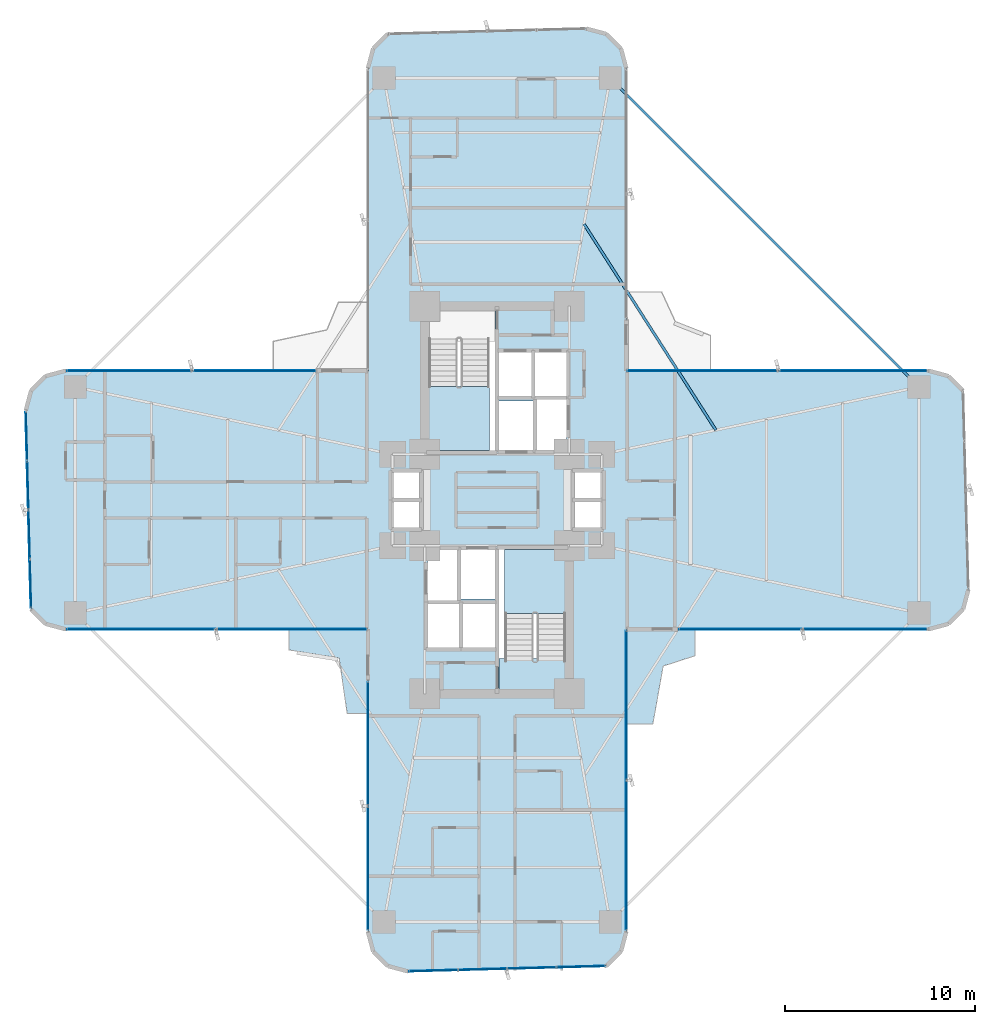
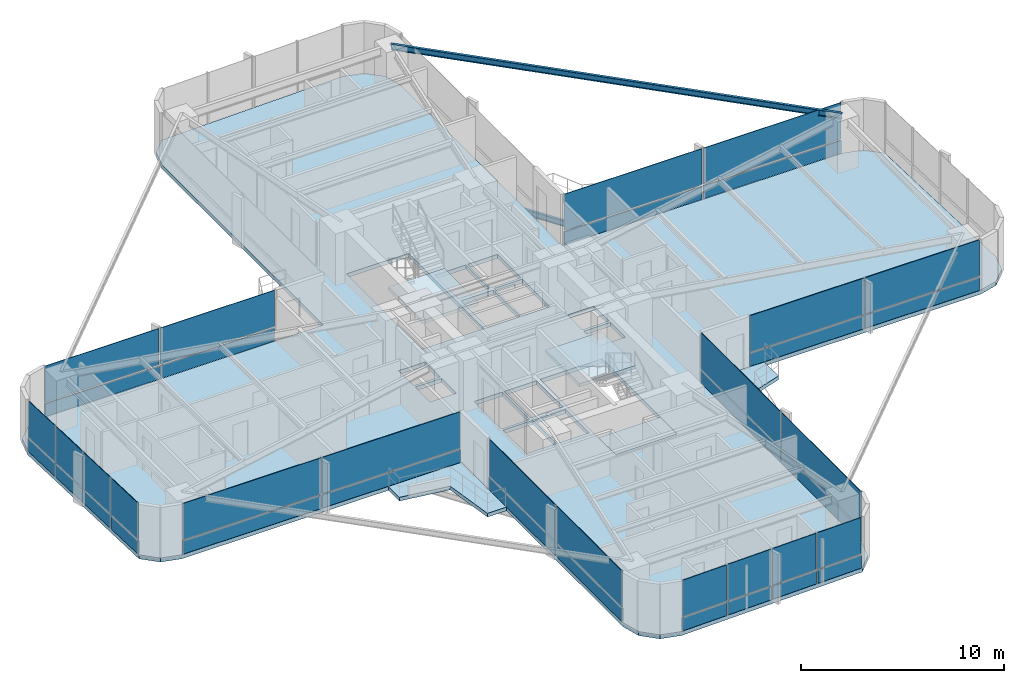
# One storey, part 20 of 25: 40 plates, 6 slabs, 2 beams, 10 elements without a shape of their own.
"""IFC4 building model written with IfcOpenShell, lengths in metres."""

from ifc_helpers import new_model, si_unit, direction, frame, origin, origin_2d, place, context, subcontext, project, spatial, polyline, rectangle, i_section, outline, extrude, source, transform, mapped, material, layer, layer_set, material_profile, profile_set, type_object, element, aggregate, save


model = new_model("IFC4")

# Units and contexts
model_context = context("Model", 3, precision=1e-05, world=origin(), true_north=direction((0.0, 1.0)))
body_context = subcontext(model_context, "Body", "Model", "MODEL_VIEW")
ifc_project = project(units=[si_unit("LENGTHUNIT", "METRE"), si_unit("AREAUNIT", "SQUARE_METRE"), si_unit("VOLUMEUNIT", "CUBIC_METRE"), si_unit("PLANEANGLEUNIT", "RADIAN"), si_unit("MASSUNIT", "GRAM", prefix="KILO")], contexts=[model_context])

# Site, building, storey
site_placement = place(None, origin())
site = spatial("IfcSite", under=ifc_project, at=site_placement, CompositionType="ELEMENT")
building_placement = place(site_placement, origin())
building = spatial("IfcBuilding", under=site, at=building_placement, Name="Sahyath Konkavel Grand Hotel", CompositionType="ELEMENT")
storey_placement = place(building_placement, frame((0.0, 0.0, 67.800048828125)))
storey = spatial("IfcBuildingStorey", under=building, at=storey_placement, Name="L18", CompositionType="ELEMENT", Elevation=67.800048828125)

# Beams
ifc_material_1 = material(Name="Steel E350", Category="steel")
ifc_material_profile_1 = material_profile(ifc_material_1, i_section(OverallWidth=0.139892578125, OverallDepth=0.35009765625, WebThickness=0.008056640625, FlangeThickness=0.01416015625, FilletRadius=0.013916015625, at=origin_2d()), Name="ISMB 350")
ifc_profile_set_1 = profile_set([ifc_material_profile_1], Name="Steel E350")
beam_type_1 = type_object("IfcBeamType", Name="BM-ISMB350", PredefinedType="BEAM", material=ifc_profile_set_1)
shared_shape_1 = source(origin(), body_context, "Body", "SweptSolid", [
    extrude(i_section(OverallWidth=0.139892578125, OverallDepth=0.35009765625, WebThickness=0.008056640625, FlangeThickness=0.01416015625, FilletRadius=0.013916015625, at=origin_2d()), origin(), (0.0, 0.0, 1.0), 22.98095703125),
])
beam_1_placement = place(storey_placement, frame((22.199951171875, 5.949951171875, 2.93505859375), z_axis=(-0.707106781187, 0.707106781187, 0.0), x_axis=(-0.707106781187, -0.707106781187, 0.0)))
element("IfcBeam", 1, at=beam_1_placement, inside=storey, type_object=beam_type_1, Name="L18 Re-Entrant Tie Beam NE", PredefinedType="BEAM", context=body_context, shape_type="MappedRepresentation", body=[
    mapped(shared_shape_1, transform((0.0, 0.0, 0.0), scale=1.0)),
])
ifc_material_profile_2 = material_profile(ifc_material_1, i_section(OverallWidth=0.139892578125, OverallDepth=0.35009765625, WebThickness=0.008056640625, FlangeThickness=0.01416015625, FilletRadius=0.013916015625, at=origin_2d()), Name="ISMB 350")
ifc_profile_set_2 = profile_set([ifc_material_profile_2], Name="Steel E350")
beam_type_2 = type_object("IfcBeamType", Name="BM-BALC-CANT", PredefinedType="BEAM", material=ifc_profile_set_2)
shared_shape_2 = source(origin(), body_context, "Body", "SweptSolid", [
    extrude(i_section(OverallWidth=0.139892578125, OverallDepth=0.35009765625, WebThickness=0.008056640625, FlangeThickness=0.01416015625, FilletRadius=0.013916015625, at=origin_2d()), origin(), (0.0, 0.0, 1.0), 12.871826171875),
])
beam_2_placement = place(storey_placement, frame((11.511962890625, 3.677978515625, -0.4150390625), z_axis=(-0.539003102535, 0.842303778608, 0.0), x_axis=(-0.842303778608, -0.539003102535, 0.0)))
element("IfcBeam", 2, at=beam_2_placement, inside=storey, type_object=beam_type_2, Name="L18 Balcony Cantilever Support Beam NE", PredefinedType="BEAM", context=body_context, shape_type="MappedRepresentation", body=[
    mapped(shared_shape_2, transform((0.0, 0.0, 0.0), scale=1.0)),
])

# Slabs
ifc_material_2 = material(Name="Concrete C40/50", Category="concrete")
ifc_layer_1 = layer(ifc_material_2, 0.239990234375)
ifc_layer_set_1 = layer_set([ifc_layer_1], Name="Concrete C40/50")
slab_type_1 = type_object("IfcSlabType", Name="SLB-240", PredefinedType="FLOOR", material=ifc_layer_set_1)
slab_1_placement = place(storey_placement, frame((0.0, 0.0, -0.239990234375)))
element("IfcSlab", 3, at=slab_1_placement, inside=storey, type_object=slab_type_1, Name="L18 Structural Floor Slab", PredefinedType="FLOOR", context=body_context, shape_type="SweptSolid", body=[
    extrude(outline(polyline([(6.800048828125, -6.800048828125), (22.699951171875, -6.800048828125), (23.75, -6.518798828125), (24.518798828125, -5.75), (24.800048828125, -4.699951171875), (24.518798828125, 5.75), (23.75, 6.518798828125), (22.699951171875, 6.800048828125), (6.800048828125, 6.800048828125), (6.800048828125, 22.699951171875), (6.518798828125, 23.75), (5.75, 24.518798828125), (4.699951171875, 24.800048828125), (-5.75, 24.518798828125), (-6.518798828125, 23.75), (-6.800048828125, 22.699951171875), (-6.800048828125, 6.800048828125), (-22.699951171875, 6.800048828125), (-23.75, 6.518798828125), (-24.518798828125, 5.75), (-24.800048828125, 4.699951171875), (-24.518798828125, -5.75), (-23.75, -6.518798828125), (-22.699951171875, -6.800048828125), (-6.800048828125, -6.800048828125), (-6.800048828125, -22.699951171875), (-6.518798828125, -23.75), (-5.75, -24.518798828125), (-4.699951171875, -24.800048828125), (5.75, -24.518798828125), (6.518798828125, -23.75), (6.800048828125, -22.699951171875), (6.800048828125, -6.800048828125)]), holes=[polyline([(-3.6201171875, 2.580078125), (-0.10009765625, 2.580078125), (-0.10009765625, 10.02001953125), (-3.6201171875, 10.02001953125), (-3.6201171875, 2.580078125)]), polyline([(0.10009765625, -10.02001953125), (3.6201171875, -10.02001953125), (3.6201171875, -2.580078125), (0.10009765625, -2.580078125), (0.10009765625, -10.02001953125)]), polyline([(0.10009765625, 2.60009765625), (1.949951171875, 2.60009765625), (1.949951171875, 5.199951171875), (0.10009765625, 5.199951171875), (0.10009765625, 2.60009765625)]), polyline([(-1.949951171875, -5.199951171875), (-0.10009765625, -5.199951171875), (-0.10009765625, -2.60009765625), (-1.949951171875, -2.60009765625), (-1.949951171875, -5.199951171875)]), polyline([(2.050048828125, 2.60009765625), (3.64990234375, 2.60009765625), (3.64990234375, 5.300048828125), (2.050048828125, 5.300048828125), (2.050048828125, 2.60009765625)]), polyline([(-3.64990234375, -5.300048828125), (-2.050048828125, -5.300048828125), (-2.050048828125, -2.60009765625), (-3.64990234375, -2.60009765625), (-3.64990234375, -5.300048828125)]), polyline([(0.10009765625, 5.449951171875), (1.85009765625, 5.449951171875), (1.85009765625, 7.75), (0.10009765625, 7.75), (0.10009765625, 5.449951171875)]), polyline([(1.949951171875, 5.449951171875), (3.64990234375, 5.449951171875), (3.64990234375, 7.75), (1.949951171875, 7.75), (1.949951171875, 5.449951171875)]), polyline([(-3.64990234375, -7.75), (-1.949951171875, -7.75), (-1.949951171875, -5.449951171875), (-3.64990234375, -5.449951171875), (-3.64990234375, -7.75)]), polyline([(-1.85009765625, -7.75), (-0.10009765625, -7.75), (-0.10009765625, -5.449951171875), (-1.85009765625, -5.449951171875), (-1.85009765625, -7.75)]), polyline([(4.050048828125, 0.080078125), (5.550048828125, 0.080078125), (5.550048828125, 1.5400390625), (4.050048828125, 1.5400390625), (4.050048828125, 0.080078125)]), polyline([(4.050048828125, -1.5400390625), (5.550048828125, -1.5400390625), (5.550048828125, -0.080078125), (4.050048828125, -0.080078125), (4.050048828125, -1.5400390625)]), polyline([(-5.550048828125, 0.080078125), (-4.050048828125, 0.080078125), (-4.050048828125, 1.5400390625), (-5.550048828125, 1.5400390625), (-5.550048828125, 0.080078125)]), polyline([(-5.550048828125, -1.5400390625), (-4.050048828125, -1.5400390625), (-4.050048828125, -0.080078125), (-5.550048828125, -0.080078125), (-5.550048828125, -1.5400390625)])]), origin(), (0.0, 0.0, 1.0), 0.239990234375),
])
ifc_layer_2 = layer(ifc_material_2, 0.219970703125)
ifc_layer_set_2 = layer_set([ifc_layer_2], Name="Concrete C40/50")
slab_type_2 = type_object("IfcSlabType", Name="SLB-BALCONY-220", PredefinedType="FLOOR", material=ifc_layer_set_2)
slab_2_placement = place(storey_placement, frame((0.0, 0.0, -0.219970703125)))
element("IfcSlab", 4, at=slab_2_placement, inside=storey, type_object=slab_type_2, Name="L18 Winter-Garden Balcony SW", PredefinedType="FLOOR", context=body_context, shape_type="SweptSolid", body=[
    extrude(outline(polyline([(-6.800048828125, -6.800048828125), (-10.9580078125, -6.800048828125), (-10.9580078125, -7.887939453125), (-8.31103515625, -8.31103515625), (-7.887939453125, -11.241943359375), (-6.800048828125, -11.241943359375), (-6.800048828125, -6.800048828125)])), origin(), (0.0, 0.0, 1.0), 0.219970703125),
])
slab_3_placement = place(storey_placement, frame((0.0, 0.0, -0.219970703125)))
element("IfcSlab", 5, at=slab_3_placement, inside=storey, type_object=slab_type_2, Name="L18 Winter-Garden Balcony SE", PredefinedType="FLOOR", context=body_context, shape_type="SweptSolid", body=[
    extrude(outline(polyline([(6.800048828125, -6.800048828125), (6.800048828125, -11.784912109375), (8.1953125, -11.784912109375), (8.738037109375, -8.738037109375), (10.4150390625, -8.1953125), (10.4150390625, -6.800048828125), (6.800048828125, -6.800048828125)])), origin(), (0.0, 0.0, 1.0), 0.219970703125),
])

# Stair, slab
stair_type = type_object("IfcStairType", Name="STR-ST16-335", PredefinedType="HALF_TURN_STAIR", material=ifc_material_2)
stair_1_placement = place(storey_placement, origin())
stair_1 = element("IfcStair", 6, at=stair_1_placement, inside=storey, type_object=stair_type, Name="L18 North Core Smokeproof Exit Stair ST-1", PredefinedType="HALF_TURN_STAIR")
ifc_layer_3 = layer(ifc_material_2, 0.199951171875)
ifc_layer_set_3 = layer_set([ifc_layer_3], Name="Concrete C40/50")
slab_type_3 = type_object("IfcSlabType", Name="SLB-STAIR-LND", PredefinedType="LANDING", material=ifc_layer_set_3)
slab_4_placement = place(storey_placement, frame((0.0, 0.0, 1.474853515625)))
slab_4 = element("IfcSlab", 7, at=slab_4_placement, type_object=slab_type_3, Name="ST-1 landing 1", PredefinedType="LANDING", context=body_context, shape_type="SweptSolid", body=[
    extrude(outline(polyline([(-3.60009765625, 5.9599609375), (-3.60009765625, 2.60009765625), (-0.39990234375, 2.60009765625), (-0.39990234375, 5.9599609375), (-3.60009765625, 5.9599609375)])), origin(), (0.0, 0.0, 1.0), 0.2001953125),
])
aggregate(stair_1, [slab_4])

stair_2_placement = place(storey_placement, origin())
stair_2 = element("IfcStair", 8, at=stair_2_placement, inside=storey, type_object=stair_type, Name="L18 South Core Smokeproof Exit Stair ST-2", PredefinedType="HALF_TURN_STAIR")
slab_5_placement = place(storey_placement, frame((0.0, 0.0, 1.474853515625)))
slab_5 = element("IfcSlab", 9, at=slab_5_placement, type_object=slab_type_3, Name="ST-2 landing 1", PredefinedType="LANDING", context=body_context, shape_type="SweptSolid", body=[
    extrude(outline(polyline([(3.60009765625, -5.9599609375), (3.60009765625, -2.60009765625), (0.39990234375, -2.60009765625), (0.39990234375, -5.9599609375), (3.60009765625, -5.9599609375)])), origin(), (0.0, 0.0, 1.0), 0.2001953125),
])
aggregate(stair_2, [slab_5])

# Slab
slab_6_placement = place(storey_placement, frame((0.0, 0.0, -0.199951171875)))
element("IfcSlab", 10, at=slab_6_placement, inside=storey, type_object=slab_type_3, Name="L18 Stair ST-2 Floor Landing Slab", PredefinedType="LANDING", context=body_context, shape_type="SweptSolid", body=[
    extrude(outline(polyline([(0.10009765625, -10.02001953125), (3.6201171875, -10.02001953125), (3.6201171875, -8.35009765625), (0.10009765625, -8.35009765625), (0.10009765625, -10.02001953125)])), origin(), (0.0, 0.0, 1.0), 0.199951171875),
])

# Curtain wall, plates
ifc_material_3 = material(Name="Anodised Bronze Aluminium & Low-E Glazing", Category="aluminium")
curtain_wall_type = type_object("IfcCurtainWallType", Name="CW-ZONE1", PredefinedType="NOTDEFINED", material=ifc_material_3)
curtain_wall_1_placement = place(storey_placement, origin())
curtain_wall_1 = element("IfcCurtainWall", 11, at=curtain_wall_1_placement, inside=storey, type_object=curtain_wall_type, Name="L18 Unitised Curtain Wall F7", PredefinedType="NOTDEFINED")
ifc_material_4 = material(Name="Warm Buff Sandstone Cladding", Category="masonry")
ifc_layer_4 = layer(ifc_material_4, 0.074951171875)
ifc_layer_set_4 = layer_set([ifc_layer_4], Name="Warm Buff Sandstone Cladding")
plate_type_1 = type_object("IfcPlateType", Name="PNL-SPANDREL-STONE", PredefinedType="SHEET", material=ifc_layer_set_4)
shared_shape_3 = source(origin(), body_context, "Body", "SweptSolid", [
    extrude(rectangle(XDim=7.830078125, YDim=0.074951171875, at=origin_2d()), origin(), (0.0, 0.0, 1.0), 0.77001953125),
])
plate_1_placement = place(storey_placement, frame((18.705078125, 6.800048828125, 0.0400390625), z_axis=(0.0, 0.0, 1.0), x_axis=(-1.0, 0.0, 0.0)))
plate_1 = element("IfcPlate", 12, at=plate_1_placement, type_object=plate_type_1, Name="L18 Sandstone Relief Spandrel Panel F7-0", PredefinedType="SHEET", context=body_context, shape_type="MappedRepresentation", body=[
    mapped(shared_shape_3, transform((0.0, 0.0, 0.0), scale=1.0)),
])
plate_2_placement = place(storey_placement, frame((10.794921875, 6.800048828125, 0.0400390625), z_axis=(0.0, 0.0, 1.0), x_axis=(-1.0, 0.0, 0.0)))
plate_2 = element("IfcPlate", 13, at=plate_2_placement, type_object=plate_type_1, Name="L18 Sandstone Relief Spandrel Panel F7-1", PredefinedType="SHEET", context=body_context, shape_type="MappedRepresentation", body=[
    mapped(shared_shape_3, transform((0.0, 0.0, 0.0), scale=1.0)),
])

curtain_wall_2_placement = place(storey_placement, origin())
curtain_wall_2 = element("IfcCurtainWall", 14, at=curtain_wall_2_placement, inside=storey, type_object=curtain_wall_type, Name="L18 Unitised Curtain Wall F23", PredefinedType="NOTDEFINED")
plate_3_placement = place(storey_placement, frame((-18.705078125, -6.800048828125, 0.0400390625), z_axis=(0.0, 0.0, 1.0), x_axis=(1.0, 0.0, 0.0)))
plate_3 = element("IfcPlate", 15, at=plate_3_placement, type_object=plate_type_1, Name="L18 Sandstone Relief Spandrel Panel F23-0", PredefinedType="SHEET", context=body_context, shape_type="MappedRepresentation", body=[
    mapped(shared_shape_3, transform((0.0, 0.0, 0.0), scale=1.0)),
])
plate_4_placement = place(storey_placement, frame((-10.794921875, -6.800048828125, 0.0400390625), z_axis=(0.0, 0.0, 1.0), x_axis=(1.0, 0.0, 0.0)))
plate_4 = element("IfcPlate", 16, at=plate_4_placement, type_object=plate_type_1, Name="L18 Sandstone Relief Spandrel Panel F23-1", PredefinedType="SHEET", context=body_context, shape_type="MappedRepresentation", body=[
    mapped(shared_shape_3, transform((0.0, 0.0, 0.0), scale=1.0)),
])

curtain_wall_3_placement = place(storey_placement, origin())
curtain_wall_3 = element("IfcCurtainWall", 17, at=curtain_wall_3_placement, inside=storey, type_object=curtain_wall_type, Name="L18 Unitised Curtain Wall F31", PredefinedType="NOTDEFINED")
plate_5_placement = place(storey_placement, frame((6.800048828125, -18.705078125, 0.0400390625), z_axis=(0.0, 0.0, 1.0), x_axis=(0.0, 1.0, 0.0)))
plate_5 = element("IfcPlate", 18, at=plate_5_placement, type_object=plate_type_1, Name="L18 Sandstone Relief Spandrel Panel F31-0", PredefinedType="SHEET", context=body_context, shape_type="MappedRepresentation", body=[
    mapped(shared_shape_3, transform((0.0, 0.0, 0.0), scale=1.0)),
])
plate_6_placement = place(storey_placement, frame((6.800048828125, -10.794921875, 0.0400390625), z_axis=(0.0, 0.0, 1.0), x_axis=(0.0, 1.0, 0.0)))
plate_6 = element("IfcPlate", 19, at=plate_6_placement, type_object=plate_type_1, Name="L18 Sandstone Relief Spandrel Panel F31-1", PredefinedType="SHEET", context=body_context, shape_type="MappedRepresentation", body=[
    mapped(shared_shape_3, transform((0.0, 0.0, 0.0), scale=1.0)),
])

# Plate
ifc_material_5 = material(Name="Low-E Solar Control Double Glazing", Category="glass")
ifc_layer_5 = layer(ifc_material_5, 0.035888671875)
ifc_layer_set_5 = layer_set([ifc_layer_5], Name="Low-E Solar Control Double Glazing")
plate_type_2 = type_object("IfcPlateType", Name="PNL-VISION-LOWE", PredefinedType="CURTAIN_PANEL", material=ifc_layer_set_5)
shared_shape_4 = source(origin(), body_context, "Body", "SweptSolid", [
    extrude(rectangle(XDim=7.830078125, YDim=0.035888671875, at=origin_2d()), origin(), (0.0, 0.0, 1.0), 2.179931640625),
])
plate_7_placement = place(storey_placement, frame((18.705078125, 6.800048828125, 0.89013671875), z_axis=(0.0, 0.0, 1.0), x_axis=(-1.0, 0.0, 0.0)))
plate_7 = element("IfcPlate", 20, at=plate_7_placement, type_object=plate_type_2, Name="L18 Low-E Vision Glazing Panel F7-0", PredefinedType="CURTAIN_PANEL", context=body_context, shape_type="MappedRepresentation", body=[
    mapped(shared_shape_4, transform((0.0, 0.0, 0.0), scale=1.0)),
])

plate_8_placement = place(storey_placement, frame((10.794921875, 6.800048828125, 0.89013671875), z_axis=(0.0, 0.0, 1.0), x_axis=(-1.0, 0.0, 0.0)))
plate_8 = element("IfcPlate", 21, at=plate_8_placement, type_object=plate_type_2, Name="L18 Low-E Vision Glazing Panel F7-1", PredefinedType="CURTAIN_PANEL", context=body_context, shape_type="MappedRepresentation", body=[
    mapped(shared_shape_4, transform((0.0, 0.0, 0.0), scale=1.0)),
])

aggregate(curtain_wall_1, [plate_1, plate_7, plate_2, plate_8])

plate_9_placement = place(storey_placement, frame((-18.705078125, -6.800048828125, 0.89013671875), z_axis=(0.0, 0.0, 1.0), x_axis=(1.0, 0.0, 0.0)))
plate_9 = element("IfcPlate", 22, at=plate_9_placement, type_object=plate_type_2, Name="L18 Low-E Vision Glazing Panel F23-0", PredefinedType="CURTAIN_PANEL", context=body_context, shape_type="MappedRepresentation", body=[
    mapped(shared_shape_4, transform((0.0, 0.0, 0.0), scale=1.0)),
])

plate_10_placement = place(storey_placement, frame((-10.794921875, -6.800048828125, 0.89013671875), z_axis=(0.0, 0.0, 1.0), x_axis=(1.0, 0.0, 0.0)))
plate_10 = element("IfcPlate", 23, at=plate_10_placement, type_object=plate_type_2, Name="L18 Low-E Vision Glazing Panel F23-1", PredefinedType="CURTAIN_PANEL", context=body_context, shape_type="MappedRepresentation", body=[
    mapped(shared_shape_4, transform((0.0, 0.0, 0.0), scale=1.0)),
])

aggregate(curtain_wall_2, [plate_3, plate_9, plate_4, plate_10])

plate_11_placement = place(storey_placement, frame((6.800048828125, -18.705078125, 0.89013671875), z_axis=(0.0, 0.0, 1.0), x_axis=(0.0, 1.0, 0.0)))
plate_11 = element("IfcPlate", 24, at=plate_11_placement, type_object=plate_type_2, Name="L18 Low-E Vision Glazing Panel F31-0", PredefinedType="CURTAIN_PANEL", context=body_context, shape_type="MappedRepresentation", body=[
    mapped(shared_shape_4, transform((0.0, 0.0, 0.0), scale=1.0)),
])

plate_12_placement = place(storey_placement, frame((6.800048828125, -10.794921875, 0.89013671875), z_axis=(0.0, 0.0, 1.0), x_axis=(0.0, 1.0, 0.0)))
plate_12 = element("IfcPlate", 25, at=plate_12_placement, type_object=plate_type_2, Name="L18 Low-E Vision Glazing Panel F31-1", PredefinedType="CURTAIN_PANEL", context=body_context, shape_type="MappedRepresentation", body=[
    mapped(shared_shape_4, transform((0.0, 0.0, 0.0), scale=1.0)),
])

aggregate(curtain_wall_3, [plate_5, plate_11, plate_6, plate_12])

# Curtain wall, plates
curtain_wall_4_placement = place(storey_placement, origin())
curtain_wall_4 = element("IfcCurtainWall", 26, at=curtain_wall_4_placement, inside=storey, type_object=curtain_wall_type, Name="L18 Unitised Curtain Wall F20", PredefinedType="NOTDEFINED")
shared_shape_5 = source(origin(), body_context, "Body", "SweptSolid", [
    extrude(rectangle(XDim=2.513427734375, YDim=0.074951171875, at=origin_2d()), origin(), (0.0, 0.0, 1.0), 0.77001953125),
])
plate_13_placement = place(storey_placement, frame((-24.763916015625, 3.36376953125, 0.0400390625), z_axis=(0.0, 0.0, 1.0), x_axis=(0.026909728301, -0.999637867691, 0.0)))
plate_13 = element("IfcPlate", 27, at=plate_13_placement, type_object=plate_type_1, Name="L18 Sandstone Relief Spandrel Panel F20-0", PredefinedType="SHEET", context=body_context, shape_type="MappedRepresentation", body=[
    mapped(shared_shape_5, transform((0.0, 0.0, 0.0), scale=1.0)),
])
plate_14_placement = place(storey_placement, frame((-24.694091796875, 0.771240234375, 0.0400390625), z_axis=(0.0, 0.0, 1.0), x_axis=(0.026909728301, -0.999637867691, 0.0)))
plate_14 = element("IfcPlate", 28, at=plate_14_placement, type_object=plate_type_1, Name="L18 Sandstone Relief Spandrel Panel F20-1", PredefinedType="SHEET", context=body_context, shape_type="MappedRepresentation", body=[
    mapped(shared_shape_5, transform((0.0, 0.0, 0.0), scale=1.0)),
])
plate_15_placement = place(storey_placement, frame((-24.62451171875, -1.8212890625, 0.0400390625), z_axis=(0.0, 0.0, 1.0), x_axis=(0.026909728301, -0.999637867691, 0.0)))
plate_15 = element("IfcPlate", 29, at=plate_15_placement, type_object=plate_type_1, Name="L18 Sandstone Relief Spandrel Panel F20-2", PredefinedType="SHEET", context=body_context, shape_type="MappedRepresentation", body=[
    mapped(shared_shape_5, transform((0.0, 0.0, 0.0), scale=1.0)),
])
plate_16_placement = place(storey_placement, frame((-24.5546875, -4.413818359375, 0.0400390625), z_axis=(0.0, 0.0, 1.0), x_axis=(0.026909728301, -0.999637867691, 0.0)))
plate_16 = element("IfcPlate", 30, at=plate_16_placement, type_object=plate_type_1, Name="L18 Sandstone Relief Spandrel Panel F20-3", PredefinedType="SHEET", context=body_context, shape_type="MappedRepresentation", body=[
    mapped(shared_shape_5, transform((0.0, 0.0, 0.0), scale=1.0)),
])

curtain_wall_5_placement = place(storey_placement, origin())
curtain_wall_5 = element("IfcCurtainWall", 31, at=curtain_wall_5_placement, inside=storey, type_object=curtain_wall_type, Name="L18 Unitised Curtain Wall F28", PredefinedType="NOTDEFINED")
plate_17_placement = place(storey_placement, frame((-3.36376953125, -24.763916015625, 0.0400390625), z_axis=(0.0, 0.0, 1.0), x_axis=(0.999637867691, 0.026909728301, 0.0)))
plate_17 = element("IfcPlate", 32, at=plate_17_placement, type_object=plate_type_1, Name="L18 Sandstone Relief Spandrel Panel F28-0", PredefinedType="SHEET", context=body_context, shape_type="MappedRepresentation", body=[
    mapped(shared_shape_5, transform((0.0, 0.0, 0.0), scale=1.0)),
])
plate_18_placement = place(storey_placement, frame((-0.771240234375, -24.694091796875, 0.0400390625), z_axis=(0.0, 0.0, 1.0), x_axis=(0.999637867691, 0.026909728301, 0.0)))
plate_18 = element("IfcPlate", 33, at=plate_18_placement, type_object=plate_type_1, Name="L18 Sandstone Relief Spandrel Panel F28-1", PredefinedType="SHEET", context=body_context, shape_type="MappedRepresentation", body=[
    mapped(shared_shape_5, transform((0.0, 0.0, 0.0), scale=1.0)),
])
plate_19_placement = place(storey_placement, frame((1.8212890625, -24.62451171875, 0.0400390625), z_axis=(0.0, 0.0, 1.0), x_axis=(0.999637867691, 0.026909728301, 0.0)))
plate_19 = element("IfcPlate", 34, at=plate_19_placement, type_object=plate_type_1, Name="L18 Sandstone Relief Spandrel Panel F28-2", PredefinedType="SHEET", context=body_context, shape_type="MappedRepresentation", body=[
    mapped(shared_shape_5, transform((0.0, 0.0, 0.0), scale=1.0)),
])
plate_20_placement = place(storey_placement, frame((4.413818359375, -24.5546875, 0.0400390625), z_axis=(0.0, 0.0, 1.0), x_axis=(0.999637867691, 0.026909728301, 0.0)))
plate_20 = element("IfcPlate", 35, at=plate_20_placement, type_object=plate_type_1, Name="L18 Sandstone Relief Spandrel Panel F28-3", PredefinedType="SHEET", context=body_context, shape_type="MappedRepresentation", body=[
    mapped(shared_shape_5, transform((0.0, 0.0, 0.0), scale=1.0)),
])

# Plate
shared_shape_6 = source(origin(), body_context, "Body", "SweptSolid", [
    extrude(rectangle(XDim=2.513427734375, YDim=0.035888671875, at=origin_2d()), origin(), (0.0, 0.0, 1.0), 2.179931640625),
])
plate_21_placement = place(storey_placement, frame((-24.763916015625, 3.36376953125, 0.89013671875), z_axis=(0.0, 0.0, 1.0), x_axis=(0.026909728301, -0.999637867691, 0.0)))
plate_21 = element("IfcPlate", 36, at=plate_21_placement, type_object=plate_type_2, Name="L18 Low-E Vision Glazing Panel F20-0", PredefinedType="CURTAIN_PANEL", context=body_context, shape_type="MappedRepresentation", body=[
    mapped(shared_shape_6, transform((0.0, 0.0, 0.0), scale=1.0)),
])

plate_22_placement = place(storey_placement, frame((-24.694091796875, 0.771240234375, 0.89013671875), z_axis=(0.0, 0.0, 1.0), x_axis=(0.026909728301, -0.999637867691, 0.0)))
plate_22 = element("IfcPlate", 37, at=plate_22_placement, type_object=plate_type_2, Name="L18 Low-E Vision Glazing Panel F20-1", PredefinedType="CURTAIN_PANEL", context=body_context, shape_type="MappedRepresentation", body=[
    mapped(shared_shape_6, transform((0.0, 0.0, 0.0), scale=1.0)),
])

plate_23_placement = place(storey_placement, frame((-24.62451171875, -1.8212890625, 0.89013671875), z_axis=(0.0, 0.0, 1.0), x_axis=(0.026909728301, -0.999637867691, 0.0)))
plate_23 = element("IfcPlate", 38, at=plate_23_placement, type_object=plate_type_2, Name="L18 Low-E Vision Glazing Panel F20-2", PredefinedType="CURTAIN_PANEL", context=body_context, shape_type="MappedRepresentation", body=[
    mapped(shared_shape_6, transform((0.0, 0.0, 0.0), scale=1.0)),
])

plate_24_placement = place(storey_placement, frame((-24.5546875, -4.413818359375, 0.89013671875), z_axis=(0.0, 0.0, 1.0), x_axis=(0.026909728301, -0.999637867691, 0.0)))
plate_24 = element("IfcPlate", 39, at=plate_24_placement, type_object=plate_type_2, Name="L18 Low-E Vision Glazing Panel F20-3", PredefinedType="CURTAIN_PANEL", context=body_context, shape_type="MappedRepresentation", body=[
    mapped(shared_shape_6, transform((0.0, 0.0, 0.0), scale=1.0)),
])

aggregate(curtain_wall_4, [plate_13, plate_21, plate_14, plate_22, plate_15, plate_23, plate_16, plate_24])

plate_25_placement = place(storey_placement, frame((-3.36376953125, -24.763916015625, 0.89013671875), z_axis=(0.0, 0.0, 1.0), x_axis=(0.999637867691, 0.026909728301, 0.0)))
plate_25 = element("IfcPlate", 40, at=plate_25_placement, type_object=plate_type_2, Name="L18 Low-E Vision Glazing Panel F28-0", PredefinedType="CURTAIN_PANEL", context=body_context, shape_type="MappedRepresentation", body=[
    mapped(shared_shape_6, transform((0.0, 0.0, 0.0), scale=1.0)),
])

plate_26_placement = place(storey_placement, frame((-0.771240234375, -24.694091796875, 0.89013671875), z_axis=(0.0, 0.0, 1.0), x_axis=(0.999637867691, 0.026909728301, 0.0)))
plate_26 = element("IfcPlate", 41, at=plate_26_placement, type_object=plate_type_2, Name="L18 Low-E Vision Glazing Panel F28-1", PredefinedType="CURTAIN_PANEL", context=body_context, shape_type="MappedRepresentation", body=[
    mapped(shared_shape_6, transform((0.0, 0.0, 0.0), scale=1.0)),
])

plate_27_placement = place(storey_placement, frame((1.8212890625, -24.62451171875, 0.89013671875), z_axis=(0.0, 0.0, 1.0), x_axis=(0.999637867691, 0.026909728301, 0.0)))
plate_27 = element("IfcPlate", 42, at=plate_27_placement, type_object=plate_type_2, Name="L18 Low-E Vision Glazing Panel F28-2", PredefinedType="CURTAIN_PANEL", context=body_context, shape_type="MappedRepresentation", body=[
    mapped(shared_shape_6, transform((0.0, 0.0, 0.0), scale=1.0)),
])

plate_28_placement = place(storey_placement, frame((4.413818359375, -24.5546875, 0.89013671875), z_axis=(0.0, 0.0, 1.0), x_axis=(0.999637867691, 0.026909728301, 0.0)))
plate_28 = element("IfcPlate", 43, at=plate_28_placement, type_object=plate_type_2, Name="L18 Low-E Vision Glazing Panel F28-3", PredefinedType="CURTAIN_PANEL", context=body_context, shape_type="MappedRepresentation", body=[
    mapped(shared_shape_6, transform((0.0, 0.0, 0.0), scale=1.0)),
])

aggregate(curtain_wall_5, [plate_17, plate_25, plate_18, plate_26, plate_19, plate_27, plate_20, plate_28])

# Curtain wall, plates
curtain_wall_6_placement = place(storey_placement, origin())
curtain_wall_6 = element("IfcCurtainWall", 44, at=curtain_wall_6_placement, inside=storey, type_object=curtain_wall_type, Name="L18 Unitised Curtain Wall F0", PredefinedType="NOTDEFINED")
shared_shape_7 = source(origin(), body_context, "Body", "SweptSolid", [
    extrude(rectangle(XDim=6.47998046875, YDim=0.074951171875, at=origin_2d()), origin(), (0.0, 0.0, 1.0), 0.77001953125),
])
plate_29_placement = place(storey_placement, frame((12.820068359375, -6.800048828125, 0.0400390625), z_axis=(0.0, 0.0, 1.0), x_axis=(1.0, 0.0, 0.0)))
plate_29 = element("IfcPlate", 45, at=plate_29_placement, type_object=plate_type_1, Name="L18 Sandstone Relief Spandrel Panel F0-0", PredefinedType="SHEET", context=body_context, shape_type="MappedRepresentation", body=[
    mapped(shared_shape_7, transform((0.0, 0.0, 0.0), scale=1.0)),
])
plate_30_placement = place(storey_placement, frame((19.3798828125, -6.800048828125, 0.0400390625), z_axis=(0.0, 0.0, 1.0), x_axis=(1.0, 0.0, 0.0)))
plate_30 = element("IfcPlate", 46, at=plate_30_placement, type_object=plate_type_1, Name="L18 Sandstone Relief Spandrel Panel F0-1", PredefinedType="SHEET", context=body_context, shape_type="MappedRepresentation", body=[
    mapped(shared_shape_7, transform((0.0, 0.0, 0.0), scale=1.0)),
])

curtain_wall_7_placement = place(storey_placement, origin())
curtain_wall_7 = element("IfcCurtainWall", 47, at=curtain_wall_7_placement, inside=storey, type_object=curtain_wall_type, Name="L18 Unitised Curtain Wall F16", PredefinedType="NOTDEFINED")
plate_31_placement = place(storey_placement, frame((-12.820068359375, 6.800048828125, 0.0400390625), z_axis=(0.0, 0.0, 1.0), x_axis=(-1.0, 0.0, 0.0)))
plate_31 = element("IfcPlate", 48, at=plate_31_placement, type_object=plate_type_1, Name="L18 Sandstone Relief Spandrel Panel F16-0", PredefinedType="SHEET", context=body_context, shape_type="MappedRepresentation", body=[
    mapped(shared_shape_7, transform((0.0, 0.0, 0.0), scale=1.0)),
])
plate_32_placement = place(storey_placement, frame((-19.3798828125, 6.800048828125, 0.0400390625), z_axis=(0.0, 0.0, 1.0), x_axis=(-1.0, 0.0, 0.0)))
plate_32 = element("IfcPlate", 49, at=plate_32_placement, type_object=plate_type_1, Name="L18 Sandstone Relief Spandrel Panel F16-1", PredefinedType="SHEET", context=body_context, shape_type="MappedRepresentation", body=[
    mapped(shared_shape_7, transform((0.0, 0.0, 0.0), scale=1.0)),
])

curtain_wall_8_placement = place(storey_placement, origin())
curtain_wall_8 = element("IfcCurtainWall", 50, at=curtain_wall_8_placement, inside=storey, type_object=curtain_wall_type, Name="L18 Unitised Curtain Wall F24", PredefinedType="NOTDEFINED")
plate_33_placement = place(storey_placement, frame((-6.800048828125, -12.820068359375, 0.0400390625), z_axis=(0.0, 0.0, 1.0), x_axis=(0.0, -1.0, 0.0)))
plate_33 = element("IfcPlate", 51, at=plate_33_placement, type_object=plate_type_1, Name="L18 Sandstone Relief Spandrel Panel F24-0", PredefinedType="SHEET", context=body_context, shape_type="MappedRepresentation", body=[
    mapped(shared_shape_7, transform((0.0, 0.0, 0.0), scale=1.0)),
])
plate_34_placement = place(storey_placement, frame((-6.800048828125, -19.3798828125, 0.0400390625), z_axis=(0.0, 0.0, 1.0), x_axis=(0.0, -1.0, 0.0)))
plate_34 = element("IfcPlate", 52, at=plate_34_placement, type_object=plate_type_1, Name="L18 Sandstone Relief Spandrel Panel F24-1", PredefinedType="SHEET", context=body_context, shape_type="MappedRepresentation", body=[
    mapped(shared_shape_7, transform((0.0, 0.0, 0.0), scale=1.0)),
])

# Plate
shared_shape_8 = source(origin(), body_context, "Body", "SweptSolid", [
    extrude(rectangle(XDim=6.47998046875, YDim=0.035888671875, at=origin_2d()), origin(), (0.0, 0.0, 1.0), 2.179931640625),
])
plate_35_placement = place(storey_placement, frame((12.820068359375, -6.800048828125, 0.89013671875), z_axis=(0.0, 0.0, 1.0), x_axis=(1.0, 0.0, 0.0)))
plate_35 = element("IfcPlate", 53, at=plate_35_placement, type_object=plate_type_2, Name="L18 Low-E Vision Glazing Panel F0-0", PredefinedType="CURTAIN_PANEL", context=body_context, shape_type="MappedRepresentation", body=[
    mapped(shared_shape_8, transform((0.0, 0.0, 0.0), scale=1.0)),
])

plate_36_placement = place(storey_placement, frame((19.3798828125, -6.800048828125, 0.89013671875), z_axis=(0.0, 0.0, 1.0), x_axis=(1.0, 0.0, 0.0)))
plate_36 = element("IfcPlate", 54, at=plate_36_placement, type_object=plate_type_2, Name="L18 Low-E Vision Glazing Panel F0-1", PredefinedType="CURTAIN_PANEL", context=body_context, shape_type="MappedRepresentation", body=[
    mapped(shared_shape_8, transform((0.0, 0.0, 0.0), scale=1.0)),
])

aggregate(curtain_wall_6, [plate_29, plate_35, plate_30, plate_36])

plate_37_placement = place(storey_placement, frame((-12.820068359375, 6.800048828125, 0.89013671875), z_axis=(0.0, 0.0, 1.0), x_axis=(-1.0, 0.0, 0.0)))
plate_37 = element("IfcPlate", 55, at=plate_37_placement, type_object=plate_type_2, Name="L18 Low-E Vision Glazing Panel F16-0", PredefinedType="CURTAIN_PANEL", context=body_context, shape_type="MappedRepresentation", body=[
    mapped(shared_shape_8, transform((0.0, 0.0, 0.0), scale=1.0)),
])

plate_38_placement = place(storey_placement, frame((-19.3798828125, 6.800048828125, 0.89013671875), z_axis=(0.0, 0.0, 1.0), x_axis=(-1.0, 0.0, 0.0)))
plate_38 = element("IfcPlate", 56, at=plate_38_placement, type_object=plate_type_2, Name="L18 Low-E Vision Glazing Panel F16-1", PredefinedType="CURTAIN_PANEL", context=body_context, shape_type="MappedRepresentation", body=[
    mapped(shared_shape_8, transform((0.0, 0.0, 0.0), scale=1.0)),
])

aggregate(curtain_wall_7, [plate_31, plate_37, plate_32, plate_38])

plate_39_placement = place(storey_placement, frame((-6.800048828125, -12.820068359375, 0.89013671875), z_axis=(0.0, 0.0, 1.0), x_axis=(0.0, -1.0, 0.0)))
plate_39 = element("IfcPlate", 57, at=plate_39_placement, type_object=plate_type_2, Name="L18 Low-E Vision Glazing Panel F24-0", PredefinedType="CURTAIN_PANEL", context=body_context, shape_type="MappedRepresentation", body=[
    mapped(shared_shape_8, transform((0.0, 0.0, 0.0), scale=1.0)),
])

plate_40_placement = place(storey_placement, frame((-6.800048828125, -19.3798828125, 0.89013671875), z_axis=(0.0, 0.0, 1.0), x_axis=(0.0, -1.0, 0.0)))
plate_40 = element("IfcPlate", 58, at=plate_40_placement, type_object=plate_type_2, Name="L18 Low-E Vision Glazing Panel F24-1", PredefinedType="CURTAIN_PANEL", context=body_context, shape_type="MappedRepresentation", body=[
    mapped(shared_shape_8, transform((0.0, 0.0, 0.0), scale=1.0)),
])

aggregate(curtain_wall_8, [plate_33, plate_39, plate_34, plate_40])

save(model, "model.ifc")
